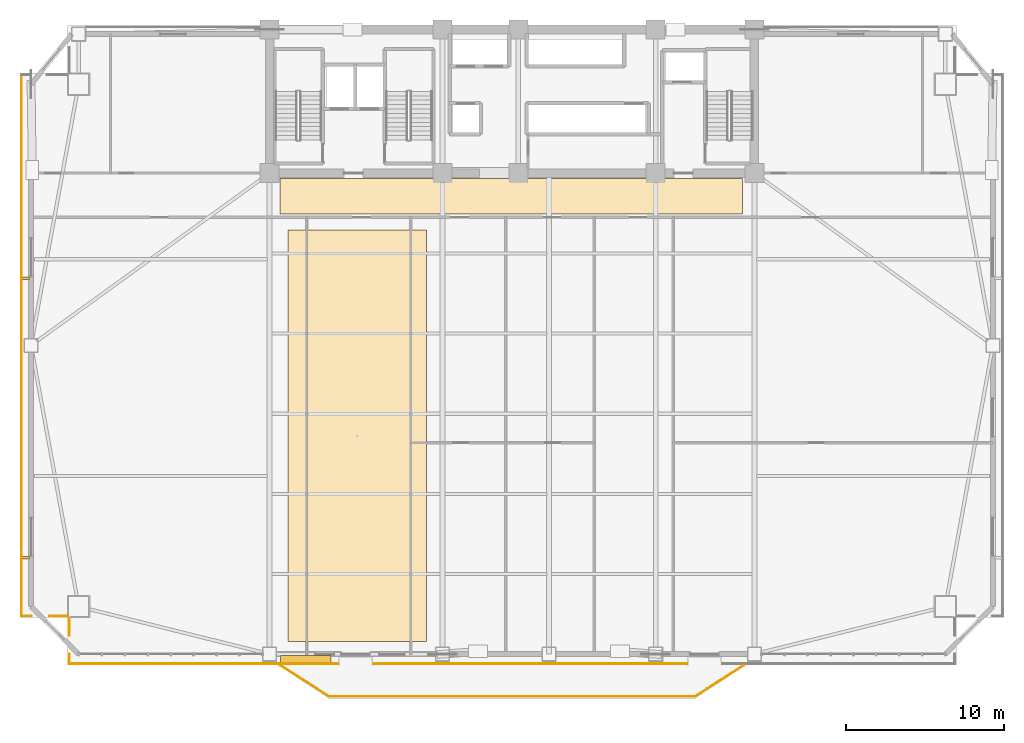
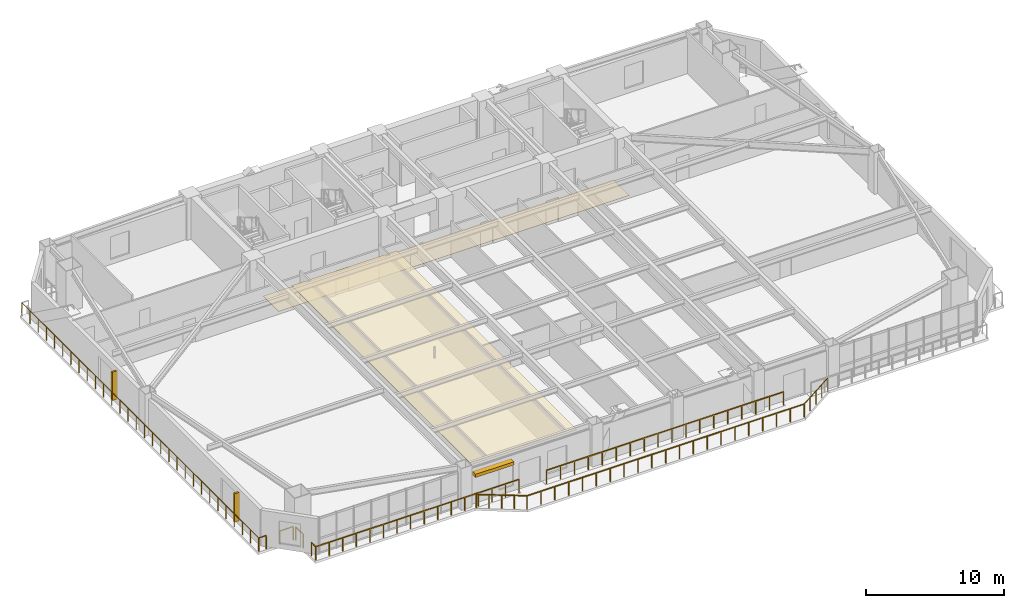
# One storey, part 12 of 15: 10 railings, 3 shading devices, 2 coverings.
"""IFC4 building model written with IfcOpenShell, lengths in metres."""

from ifc_helpers import new_model, si_unit, direction, frame, origin, origin_2d, place, context, subcontext, project, spatial, polyline, rectangle, outline, extrude, source, transform, mapped, material, layer, layer_set, type_object, element, save


model = new_model("IFC4")

# Units and contexts
model_context = context("Model", 3, precision=1e-05, world=origin(), true_north=direction((0.0, 1.0)))
body_context = subcontext(model_context, "Body", "Model", "MODEL_VIEW")
ifc_project = project(units=[si_unit("LENGTHUNIT", "METRE"), si_unit("AREAUNIT", "SQUARE_METRE"), si_unit("VOLUMEUNIT", "CUBIC_METRE"), si_unit("PLANEANGLEUNIT", "RADIAN"), si_unit("MASSUNIT", "GRAM", prefix="KILO")], contexts=[model_context])

# Site, building, storey
site_placement = place(None, origin())
site = spatial("IfcSite", under=ifc_project, at=site_placement, CompositionType="ELEMENT")
building_placement = place(site_placement, origin())
building = spatial("IfcBuilding", under=site, at=building_placement, Name="Giltprow Tower", CompositionType="ELEMENT")
storey_placement = place(building_placement, frame((0.0, 0.0, 111.39990234375)))
storey = spatial("IfcBuildingStorey", under=building, at=storey_placement, Name="L27", CompositionType="ELEMENT", Elevation=111.39990234375)

# Coverings
ifc_material_1 = material(Name="Acoustic mineral fibre", Category="gypsum")
ifc_layer_1 = layer(ifc_material_1, 0.030029296875, Name="Acoustic mineral fibre")
ifc_layer_set_1 = layer_set([ifc_layer_1], Name="Acoustic mineral fibre")
covering_type_1 = type_object("IfcCoveringType", Name="COV-CLG-ACOUSTIC", PredefinedType="CEILING", material=ifc_layer_set_1)
covering_1_placement = place(storey_placement, frame((0.0, 0.0, 2.72021484375)))
element("IfcCovering", 1, at=covering_1_placement, inside=storey, type_object=covering_type_1, Name="L27 Office Acoustic Ceiling", PredefinedType="CEILING", context=body_context, shape_type="SweptSolid", body=[
    extrude(outline(polyline([(21.0, 7.7900390625), (29.800048828125, 7.7900390625), (29.800048828125, 33.85009765625), (21.0, 33.85009765625), (21.0, 7.7900390625)])), origin(), (0.0, 0.0, 1.0), 0.02978515625),
])
ifc_material_2 = material(Name="Honed granite", Category="masonry")
ifc_layer_2 = layer(ifc_material_2, 0.030029296875, Name="Honed granite")
ifc_layer_set_2 = layer_set([ifc_layer_2], Name="Honed granite")
covering_type_2 = type_object("IfcCoveringType", Name="COV-FLR-STONE", PredefinedType="FLOORING", material=ifc_layer_set_2)
covering_2_placement = place(storey_placement, origin())
element("IfcCovering", 2, at=covering_2_placement, inside=storey, type_object=covering_type_2, Name="L27 Office Corridor Stone Flooring", PredefinedType="FLOORING", context=body_context, shape_type="SweptSolid", body=[
    extrude(outline(polyline([(20.5, 34.85009765625), (49.800048828125, 34.85009765625), (49.800048828125, 37.10009765625), (20.5, 37.10009765625), (20.5, 34.85009765625)])), origin(), (0.0, 0.0, 1.0), 0.030029296875),
])

# Railings
ifc_material_3 = material(Name="Anodized bronze", Category="metal")
railing_type = type_object("IfcRailingType", Name="RAIL-BALC-GUARD-1200", PredefinedType="BALUSTRADE", material=ifc_material_3)
railing_1_placement = place(storey_placement, frame((20.52001953125, 6.2900390625, 0.0)))
element("IfcRailing", 3, at=railing_1_placement, inside=storey, type_object=railing_type, Name="L27 Waterfront Balcony Balustrade Seg 1", PredefinedType="BALUSTRADE", context=body_context, shape_type="SweptSolid", body=[
    extrude(rectangle(XDim=0.048095703125, YDim=0.048095703125, at=origin_2d()), frame((0.0, 0.0, 1.17578125), z_axis=(0.84277487735, -0.538266203757, 0.0), x_axis=(0.538266203757, 0.84277487735, 0.0)), (0.0, 0.0, 1.0), 3.678466796875),
    extrude(rectangle(XDim=0.0419921875, YDim=0.0419921875, at=origin_2d()), origin(), (0.0, 0.0, 1.0), 1.15185546875),
    extrude(rectangle(XDim=0.0419921875, YDim=0.0419921875, at=origin_2d()), frame((0.77490234375, -0.4951171875, 0.0)), (0.0, 0.0, 1.0), 1.15185546875),
    extrude(rectangle(XDim=0.0419921875, YDim=0.0419921875, at=origin_2d()), frame((1.550048828125, -0.989990234375, 0.0)), (0.0, 0.0, 1.0), 1.15185546875),
    extrude(rectangle(XDim=0.0419921875, YDim=0.0419921875, at=origin_2d()), frame((2.3251953125, -1.48486328125, 0.0)), (0.0, 0.0, 1.0), 1.15185546875),
    extrude(rectangle(XDim=0.0419921875, YDim=0.0419921875, at=origin_2d()), frame((3.10009765625, -1.97998046875, 0.0)), (0.0, 0.0, 1.0), 1.15185546875),
])
railing_2_placement = place(storey_placement, frame((23.6201171875, 4.31005859375, 0.0)))
element("IfcRailing", 4, at=railing_2_placement, inside=storey, type_object=railing_type, Name="L27 Waterfront Balcony Balustrade Seg 2", PredefinedType="BALUSTRADE", context=body_context, shape_type="SweptSolid", body=[
    extrude(rectangle(XDim=0.048095703125, YDim=0.048095703125, at=origin_2d()), frame((0.0, 0.0, 1.17578125), z_axis=(1.0, 0.0, 0.0), x_axis=(0.0, 1.0, 0.0)), (0.0, 0.0, 1.0), 23.159912109375),
    extrude(rectangle(XDim=0.0419921875, YDim=0.0419921875, at=origin_2d()), origin(), (0.0, 0.0, 1.0), 1.15185546875),
    extrude(rectangle(XDim=0.0419921875, YDim=0.0419921875, at=origin_2d()), frame((1.157958984375, 0.0, 0.0)), (0.0, 0.0, 1.0), 1.15185546875),
    extrude(rectangle(XDim=0.0419921875, YDim=0.0419921875, at=origin_2d()), frame((2.31591796875, 0.0, 0.0)), (0.0, 0.0, 1.0), 1.15185546875),
    extrude(rectangle(XDim=0.0419921875, YDim=0.0419921875, at=origin_2d()), frame((3.473876953125, 0.0, 0.0)), (0.0, 0.0, 1.0), 1.15185546875),
    extrude(rectangle(XDim=0.0419921875, YDim=0.0419921875, at=origin_2d()), frame((4.632080078125, 0.0, 0.0)), (0.0, 0.0, 1.0), 1.15185546875),
    extrude(rectangle(XDim=0.0419921875, YDim=0.0419921875, at=origin_2d()), frame((5.7900390625, 0.0, 0.0)), (0.0, 0.0, 1.0), 1.15185546875),
    extrude(rectangle(XDim=0.0419921875, YDim=0.0419921875, at=origin_2d()), frame((6.947998046875, 0.0, 0.0)), (0.0, 0.0, 1.0), 1.15185546875),
    extrude(rectangle(XDim=0.0419921875, YDim=0.0419921875, at=origin_2d()), frame((8.10595703125, 0.0, 0.0)), (0.0, 0.0, 1.0), 1.15185546875),
    extrude(rectangle(XDim=0.0419921875, YDim=0.0419921875, at=origin_2d()), frame((9.263916015625, 0.0, 0.0)), (0.0, 0.0, 1.0), 1.15185546875),
    extrude(rectangle(XDim=0.0419921875, YDim=0.0419921875, at=origin_2d()), frame((10.421875, 0.0, 0.0)), (0.0, 0.0, 1.0), 1.15185546875),
    extrude(rectangle(XDim=0.0419921875, YDim=0.0419921875, at=origin_2d()), frame((11.580078125, 0.0, 0.0)), (0.0, 0.0, 1.0), 1.15185546875),
    extrude(rectangle(XDim=0.0419921875, YDim=0.0419921875, at=origin_2d()), frame((12.738037109375, 0.0, 0.0)), (0.0, 0.0, 1.0), 1.15185546875),
    extrude(rectangle(XDim=0.0419921875, YDim=0.0419921875, at=origin_2d()), frame((13.89599609375, 0.0, 0.0)), (0.0, 0.0, 1.0), 1.15185546875),
    extrude(rectangle(XDim=0.0419921875, YDim=0.0419921875, at=origin_2d()), frame((15.053955078125, 0.0, 0.0)), (0.0, 0.0, 1.0), 1.15185546875),
    extrude(rectangle(XDim=0.0419921875, YDim=0.0419921875, at=origin_2d()), frame((16.2119140625, 0.0, 0.0)), (0.0, 0.0, 1.0), 1.15185546875),
    extrude(rectangle(XDim=0.0419921875, YDim=0.0419921875, at=origin_2d()), frame((17.369873046875, 0.0, 0.0)), (0.0, 0.0, 1.0), 1.15185546875),
    extrude(rectangle(XDim=0.0419921875, YDim=0.0419921875, at=origin_2d()), frame((18.52783203125, 0.0, 0.0)), (0.0, 0.0, 1.0), 1.15185546875),
    extrude(rectangle(XDim=0.0419921875, YDim=0.0419921875, at=origin_2d()), frame((19.68603515625, 0.0, 0.0)), (0.0, 0.0, 1.0), 1.15185546875),
    extrude(rectangle(XDim=0.0419921875, YDim=0.0419921875, at=origin_2d()), frame((20.843994140625, 0.0, 0.0)), (0.0, 0.0, 1.0), 1.15185546875),
    extrude(rectangle(XDim=0.0419921875, YDim=0.0419921875, at=origin_2d()), frame((22.001953125, 0.0, 0.0)), (0.0, 0.0, 1.0), 1.15185546875),
    extrude(rectangle(XDim=0.0419921875, YDim=0.0419921875, at=origin_2d()), frame((23.159912109375, 0.0, 0.0)), (0.0, 0.0, 1.0), 1.15185546875),
])
railing_3_placement = place(storey_placement, frame((46.780029296875, 4.31005859375, 0.0)))
element("IfcRailing", 5, at=railing_3_placement, inside=storey, type_object=railing_type, Name="L27 Waterfront Balcony Balustrade Seg 3", PredefinedType="BALUSTRADE", context=body_context, shape_type="SweptSolid", body=[
    extrude(rectangle(XDim=0.048095703125, YDim=0.048095703125, at=origin_2d()), frame((0.0, 0.0, 1.17578125), z_axis=(0.842755646126, 0.538296313309, 0.0), x_axis=(-0.538296313309, 0.842755646126, 0.0)), (0.0, 0.0, 1.0), 3.67822265625),
    extrude(rectangle(XDim=0.0419921875, YDim=0.0419921875, at=origin_2d()), origin(), (0.0, 0.0, 1.0), 1.15185546875),
    extrude(rectangle(XDim=0.0419921875, YDim=0.0419921875, at=origin_2d()), frame((0.77490234375, 0.4951171875, 0.0)), (0.0, 0.0, 1.0), 1.15185546875),
    extrude(rectangle(XDim=0.0419921875, YDim=0.0419921875, at=origin_2d()), frame((1.5498046875, 0.989990234375, 0.0)), (0.0, 0.0, 1.0), 1.15185546875),
    extrude(rectangle(XDim=0.0419921875, YDim=0.0419921875, at=origin_2d()), frame((2.324951171875, 1.48486328125, 0.0)), (0.0, 0.0, 1.0), 1.15185546875),
    extrude(rectangle(XDim=0.0419921875, YDim=0.0419921875, at=origin_2d()), frame((3.099853515625, 1.97998046875, 0.0)), (0.0, 0.0, 1.0), 1.15185546875),
])
railing_4_placement = place(storey_placement, frame((7.160888671875, 6.389892578125, 0.0)))
element("IfcRailing", 6, at=railing_4_placement, inside=storey, type_object=railing_type, Name="L27 Corner Apron Edge Balustrade 1", PredefinedType="BALUSTRADE", context=body_context, shape_type="SweptSolid", body=[
    extrude(rectangle(XDim=0.048095703125, YDim=0.048095703125, at=origin_2d()), frame((0.0, 0.0, 1.17578125), z_axis=(0.0, 1.0, 0.0), x_axis=(-1.0, 0.0, 0.0)), (0.0, 0.0, 1.0), 0.6201171875),
    extrude(rectangle(XDim=0.0419921875, YDim=0.0419921875, at=origin_2d()), origin(), (0.0, 0.0, 1.0), 1.15185546875),
    extrude(rectangle(XDim=0.0419921875, YDim=0.0419921875, at=origin_2d()), frame((0.0, 0.6201171875, 0.0)), (0.0, 0.0, 1.0), 1.15185546875),
])
railing_5_placement = place(storey_placement, frame((7.160888671875, 8.169921875, 0.0)))
element("IfcRailing", 7, at=railing_5_placement, inside=storey, type_object=railing_type, Name="L27 Corner Apron Edge Balustrade 2", PredefinedType="BALUSTRADE", context=body_context, shape_type="SweptSolid", body=[
    extrude(rectangle(XDim=0.048095703125, YDim=0.048095703125, at=origin_2d()), frame((0.0, 0.0, 1.17578125), z_axis=(0.0, 1.0, 0.0), x_axis=(-1.0, 0.0, 0.0)), (0.0, 0.0, 1.0), 1.10205078125),
    extrude(rectangle(XDim=0.0419921875, YDim=0.0419921875, at=origin_2d()), origin(), (0.0, 0.0, 1.0), 1.15185546875),
    extrude(rectangle(XDim=0.0419921875, YDim=0.0419921875, at=origin_2d()), frame((0.0, 1.10205078125, 0.0)), (0.0, 0.0, 1.0), 1.15185546875),
])
railing_6_placement = place(storey_placement, frame((7.02587890625, 9.406982421875, 0.0)))
element("IfcRailing", 8, at=railing_6_placement, inside=storey, type_object=railing_type, Name="L27 Corner Apron Edge Balustrade 3", PredefinedType="BALUSTRADE", context=body_context, shape_type="SweptSolid", body=[
    extrude(rectangle(XDim=0.048095703125, YDim=0.048095703125, at=origin_2d()), frame((0.0, 0.0, 1.17578125), z_axis=(-1.0, 0.0, 0.0), x_axis=(0.0, -1.0, 0.0)), (0.0, 0.0, 1.0), 1.101806640625),
    extrude(rectangle(XDim=0.0419921875, YDim=0.0419921875, at=origin_2d()), origin(), (0.0, 0.0, 1.0), 1.15185546875),
    extrude(rectangle(XDim=0.0419921875, YDim=0.0419921875, at=origin_2d()), frame((-1.101806640625, 0.0, 0.0)), (0.0, 0.0, 1.0), 1.15185546875),
])
railing_7_placement = place(storey_placement, frame((4.763916015625, 9.406982421875, 0.0)))
element("IfcRailing", 9, at=railing_7_placement, inside=storey, type_object=railing_type, Name="L27 Corner Apron Edge Balustrade 4", PredefinedType="BALUSTRADE", context=body_context, shape_type="SweptSolid", body=[
    extrude(rectangle(XDim=0.048095703125, YDim=0.048095703125, at=origin_2d()), frame((0.0, 0.0, 1.17578125), z_axis=(-1.0, 0.0, 0.0), x_axis=(0.0, -1.0, 0.0)), (0.0, 0.0, 1.0), 0.619873046875),
    extrude(rectangle(XDim=0.0419921875, YDim=0.0419921875, at=origin_2d()), origin(), (0.0, 0.0, 1.0), 1.15185546875),
    extrude(rectangle(XDim=0.0419921875, YDim=0.0419921875, at=origin_2d()), frame((-0.619873046875, 0.0, 0.0)), (0.0, 0.0, 1.0), 1.15185546875),
])
railing_8_placement = place(storey_placement, frame((4.14404296875, 9.406982421875, 0.0)))
element("IfcRailing", 10, at=railing_8_placement, inside=storey, type_object=railing_type, Name="L27 Corner Apron Edge Balustrade 5", PredefinedType="BALUSTRADE", context=body_context, shape_type="SweptSolid", body=[
    extrude(rectangle(XDim=0.048095703125, YDim=0.048095703125, at=origin_2d()), frame((0.0, 0.0, 1.17578125), z_axis=(0.0, 1.0, 0.0), x_axis=(-1.0, 0.0, 0.0)), (0.0, 0.0, 1.0), 34.276123046875),
    extrude(rectangle(XDim=0.0419921875, YDim=0.0419921875, at=origin_2d()), origin(), (0.0, 0.0, 1.0), 1.15185546875),
    extrude(rectangle(XDim=0.0419921875, YDim=0.0419921875, at=origin_2d()), frame((0.0, 1.181884765625, 0.0)), (0.0, 0.0, 1.0), 1.15185546875),
    extrude(rectangle(XDim=0.0419921875, YDim=0.0419921875, at=origin_2d()), frame((0.0, 2.36376953125, 0.0)), (0.0, 0.0, 1.0), 1.15185546875),
    extrude(rectangle(XDim=0.0419921875, YDim=0.0419921875, at=origin_2d()), frame((0.0, 3.5458984375, 0.0)), (0.0, 0.0, 1.0), 1.15185546875),
    extrude(rectangle(XDim=0.0419921875, YDim=0.0419921875, at=origin_2d()), frame((0.0, 4.727783203125, 0.0)), (0.0, 0.0, 1.0), 1.15185546875),
    extrude(rectangle(XDim=0.0419921875, YDim=0.0419921875, at=origin_2d()), frame((0.0, 5.90966796875, 0.0)), (0.0, 0.0, 1.0), 1.15185546875),
    extrude(rectangle(XDim=0.0419921875, YDim=0.0419921875, at=origin_2d()), frame((0.0, 7.091552734375, 0.0)), (0.0, 0.0, 1.0), 1.15185546875),
    extrude(rectangle(XDim=0.0419921875, YDim=0.0419921875, at=origin_2d()), frame((0.0, 8.2734375, 0.0)), (0.0, 0.0, 1.0), 1.15185546875),
    extrude(rectangle(XDim=0.0419921875, YDim=0.0419921875, at=origin_2d()), frame((0.0, 9.45556640625, 0.0)), (0.0, 0.0, 1.0), 1.15185546875),
    extrude(rectangle(XDim=0.0419921875, YDim=0.0419921875, at=origin_2d()), frame((0.0, 10.637451171875, 0.0)), (0.0, 0.0, 1.0), 1.15185546875),
    extrude(rectangle(XDim=0.0419921875, YDim=0.0419921875, at=origin_2d()), frame((0.0, 11.8193359375, 0.0)), (0.0, 0.0, 1.0), 1.15185546875),
    extrude(rectangle(XDim=0.0419921875, YDim=0.0419921875, at=origin_2d()), frame((0.0, 13.001220703125, 0.0)), (0.0, 0.0, 1.0), 1.15185546875),
    extrude(rectangle(XDim=0.0419921875, YDim=0.0419921875, at=origin_2d()), frame((0.0, 14.18310546875, 0.0)), (0.0, 0.0, 1.0), 1.15185546875),
    extrude(rectangle(XDim=0.0419921875, YDim=0.0419921875, at=origin_2d()), frame((0.0, 15.365234375, 0.0)), (0.0, 0.0, 1.0), 1.15185546875),
    extrude(rectangle(XDim=0.0419921875, YDim=0.0419921875, at=origin_2d()), frame((0.0, 16.547119140625, 0.0)), (0.0, 0.0, 1.0), 1.15185546875),
    extrude(rectangle(XDim=0.0419921875, YDim=0.0419921875, at=origin_2d()), frame((0.0, 17.72900390625, 0.0)), (0.0, 0.0, 1.0), 1.15185546875),
    extrude(rectangle(XDim=0.0419921875, YDim=0.0419921875, at=origin_2d()), frame((0.0, 18.910888671875, 0.0)), (0.0, 0.0, 1.0), 1.15185546875),
    extrude(rectangle(XDim=0.0419921875, YDim=0.0419921875, at=origin_2d()), frame((0.0, 20.093017578125, 0.0)), (0.0, 0.0, 1.0), 1.15185546875),
    extrude(rectangle(XDim=0.0419921875, YDim=0.0419921875, at=origin_2d()), frame((0.0, 21.27490234375, 0.0)), (0.0, 0.0, 1.0), 1.15185546875),
    extrude(rectangle(XDim=0.0419921875, YDim=0.0419921875, at=origin_2d()), frame((0.0, 22.456787109375, 0.0)), (0.0, 0.0, 1.0), 1.15185546875),
    extrude(rectangle(XDim=0.0419921875, YDim=0.0419921875, at=origin_2d()), frame((0.0, 23.638671875, 0.0)), (0.0, 0.0, 1.0), 1.15185546875),
    extrude(rectangle(XDim=0.0419921875, YDim=0.0419921875, at=origin_2d()), frame((0.0, 24.820556640625, 0.0)), (0.0, 0.0, 1.0), 1.15185546875),
    extrude(rectangle(XDim=0.0419921875, YDim=0.0419921875, at=origin_2d()), frame((0.0, 26.002685546875, 0.0)), (0.0, 0.0, 1.0), 1.15185546875),
    extrude(rectangle(XDim=0.0419921875, YDim=0.0419921875, at=origin_2d()), frame((0.0, 27.1845703125, 0.0)), (0.0, 0.0, 1.0), 1.15185546875),
    extrude(rectangle(XDim=0.0419921875, YDim=0.0419921875, at=origin_2d()), frame((0.0, 28.366455078125, 0.0)), (0.0, 0.0, 1.0), 1.15185546875),
    extrude(rectangle(XDim=0.0419921875, YDim=0.0419921875, at=origin_2d()), frame((0.0, 29.54833984375, 0.0)), (0.0, 0.0, 1.0), 1.15185546875),
    extrude(rectangle(XDim=0.0419921875, YDim=0.0419921875, at=origin_2d()), frame((0.0, 30.730224609375, 0.0)), (0.0, 0.0, 1.0), 1.15185546875),
    extrude(rectangle(XDim=0.0419921875, YDim=0.0419921875, at=origin_2d()), frame((0.0, 31.912353515625, 0.0)), (0.0, 0.0, 1.0), 1.15185546875),
    extrude(rectangle(XDim=0.0419921875, YDim=0.0419921875, at=origin_2d()), frame((0.0, 33.09423828125, 0.0)), (0.0, 0.0, 1.0), 1.15185546875),
    extrude(rectangle(XDim=0.0419921875, YDim=0.0419921875, at=origin_2d()), frame((0.0, 34.276123046875, 0.0)), (0.0, 0.0, 1.0), 1.15185546875),
])
railing_9_placement = place(storey_placement, frame((46.25, 6.389892578125, 0.0)))
element("IfcRailing", 11, at=railing_9_placement, inside=storey, type_object=railing_type, Name="L27 Corner Apron Edge Balustrade 20", PredefinedType="BALUSTRADE", context=body_context, shape_type="SweptSolid", body=[
    extrude(rectangle(XDim=0.048095703125, YDim=0.048095703125, at=origin_2d()), frame((0.0, 0.0, 1.17578125), z_axis=(-1.0, 0.0, 0.0), x_axis=(0.0, -1.0, 0.0)), (0.0, 0.0, 1.0), 19.800048828125),
    extrude(rectangle(XDim=0.0419921875, YDim=0.0419921875, at=origin_2d()), origin(), (0.0, 0.0, 1.0), 1.15185546875),
    extrude(rectangle(XDim=0.0419921875, YDim=0.0419921875, at=origin_2d()), frame((-1.164794921875, 0.0, 0.0)), (0.0, 0.0, 1.0), 1.15185546875),
    extrude(rectangle(XDim=0.0419921875, YDim=0.0419921875, at=origin_2d()), frame((-2.329345703125, 0.0, 0.0)), (0.0, 0.0, 1.0), 1.15185546875),
    extrude(rectangle(XDim=0.0419921875, YDim=0.0419921875, at=origin_2d()), frame((-3.494140625, 0.0, 0.0)), (0.0, 0.0, 1.0), 1.15185546875),
    extrude(rectangle(XDim=0.0419921875, YDim=0.0419921875, at=origin_2d()), frame((-4.658935546875, 0.0, 0.0)), (0.0, 0.0, 1.0), 1.15185546875),
    extrude(rectangle(XDim=0.0419921875, YDim=0.0419921875, at=origin_2d()), frame((-5.823486328125, 0.0, 0.0)), (0.0, 0.0, 1.0), 1.15185546875),
    extrude(rectangle(XDim=0.0419921875, YDim=0.0419921875, at=origin_2d()), frame((-6.98828125, 0.0, 0.0)), (0.0, 0.0, 1.0), 1.15185546875),
    extrude(rectangle(XDim=0.0419921875, YDim=0.0419921875, at=origin_2d()), frame((-8.153076171875, 0.0, 0.0)), (0.0, 0.0, 1.0), 1.15185546875),
    extrude(rectangle(XDim=0.0419921875, YDim=0.0419921875, at=origin_2d()), frame((-9.317626953125, 0.0, 0.0)), (0.0, 0.0, 1.0), 1.15185546875),
    extrude(rectangle(XDim=0.0419921875, YDim=0.0419921875, at=origin_2d()), frame((-10.482421875, 0.0, 0.0)), (0.0, 0.0, 1.0), 1.15185546875),
    extrude(rectangle(XDim=0.0419921875, YDim=0.0419921875, at=origin_2d()), frame((-11.64697265625, 0.0, 0.0)), (0.0, 0.0, 1.0), 1.15185546875),
    extrude(rectangle(XDim=0.0419921875, YDim=0.0419921875, at=origin_2d()), frame((-12.811767578125, 0.0, 0.0)), (0.0, 0.0, 1.0), 1.15185546875),
    extrude(rectangle(XDim=0.0419921875, YDim=0.0419921875, at=origin_2d()), frame((-13.9765625, 0.0, 0.0)), (0.0, 0.0, 1.0), 1.15185546875),
    extrude(rectangle(XDim=0.0419921875, YDim=0.0419921875, at=origin_2d()), frame((-15.14111328125, 0.0, 0.0)), (0.0, 0.0, 1.0), 1.15185546875),
    extrude(rectangle(XDim=0.0419921875, YDim=0.0419921875, at=origin_2d()), frame((-16.305908203125, 0.0, 0.0)), (0.0, 0.0, 1.0), 1.15185546875),
    extrude(rectangle(XDim=0.0419921875, YDim=0.0419921875, at=origin_2d()), frame((-17.470703125, 0.0, 0.0)), (0.0, 0.0, 1.0), 1.15185546875),
    extrude(rectangle(XDim=0.0419921875, YDim=0.0419921875, at=origin_2d()), frame((-18.63525390625, 0.0, 0.0)), (0.0, 0.0, 1.0), 1.15185546875),
    extrude(rectangle(XDim=0.0419921875, YDim=0.0419921875, at=origin_2d()), frame((-19.800048828125, 0.0, 0.0)), (0.0, 0.0, 1.0), 1.15185546875),
])
railing_10_placement = place(storey_placement, frame((24.14990234375, 6.389892578125, 0.0)))
element("IfcRailing", 12, at=railing_10_placement, inside=storey, type_object=railing_type, Name="L27 Corner Apron Edge Balustrade 21", PredefinedType="BALUSTRADE", context=body_context, shape_type="SweptSolid", body=[
    extrude(rectangle(XDim=0.048095703125, YDim=0.048095703125, at=origin_2d()), frame((0.0, 0.0, 1.17578125), z_axis=(-1.0, 0.0, 0.0), x_axis=(0.0, -1.0, 0.0)), (0.0, 0.0, 1.0), 16.989013671875),
    extrude(rectangle(XDim=0.0419921875, YDim=0.0419921875, at=origin_2d()), origin(), (0.0, 0.0, 1.0), 1.15185546875),
    extrude(rectangle(XDim=0.0419921875, YDim=0.0419921875, at=origin_2d()), frame((-1.132568359375, 0.0, 0.0)), (0.0, 0.0, 1.0), 1.15185546875),
    extrude(rectangle(XDim=0.0419921875, YDim=0.0419921875, at=origin_2d()), frame((-2.26513671875, 0.0, 0.0)), (0.0, 0.0, 1.0), 1.15185546875),
    extrude(rectangle(XDim=0.0419921875, YDim=0.0419921875, at=origin_2d()), frame((-3.397705078125, 0.0, 0.0)), (0.0, 0.0, 1.0), 1.15185546875),
    extrude(rectangle(XDim=0.0419921875, YDim=0.0419921875, at=origin_2d()), frame((-4.530517578125, 0.0, 0.0)), (0.0, 0.0, 1.0), 1.15185546875),
    extrude(rectangle(XDim=0.0419921875, YDim=0.0419921875, at=origin_2d()), frame((-5.6630859375, 0.0, 0.0)), (0.0, 0.0, 1.0), 1.15185546875),
    extrude(rectangle(XDim=0.0419921875, YDim=0.0419921875, at=origin_2d()), frame((-6.795654296875, 0.0, 0.0)), (0.0, 0.0, 1.0), 1.15185546875),
    extrude(rectangle(XDim=0.0419921875, YDim=0.0419921875, at=origin_2d()), frame((-7.92822265625, 0.0, 0.0)), (0.0, 0.0, 1.0), 1.15185546875),
    extrude(rectangle(XDim=0.0419921875, YDim=0.0419921875, at=origin_2d()), frame((-9.060791015625, 0.0, 0.0)), (0.0, 0.0, 1.0), 1.15185546875),
    extrude(rectangle(XDim=0.0419921875, YDim=0.0419921875, at=origin_2d()), frame((-10.193359375, 0.0, 0.0)), (0.0, 0.0, 1.0), 1.15185546875),
    extrude(rectangle(XDim=0.0419921875, YDim=0.0419921875, at=origin_2d()), frame((-11.325927734375, 0.0, 0.0)), (0.0, 0.0, 1.0), 1.15185546875),
    extrude(rectangle(XDim=0.0419921875, YDim=0.0419921875, at=origin_2d()), frame((-12.45849609375, 0.0, 0.0)), (0.0, 0.0, 1.0), 1.15185546875),
    extrude(rectangle(XDim=0.0419921875, YDim=0.0419921875, at=origin_2d()), frame((-13.59130859375, 0.0, 0.0)), (0.0, 0.0, 1.0), 1.15185546875),
    extrude(rectangle(XDim=0.0419921875, YDim=0.0419921875, at=origin_2d()), frame((-14.723876953125, 0.0, 0.0)), (0.0, 0.0, 1.0), 1.15185546875),
    extrude(rectangle(XDim=0.0419921875, YDim=0.0419921875, at=origin_2d()), frame((-15.8564453125, 0.0, 0.0)), (0.0, 0.0, 1.0), 1.15185546875),
    extrude(rectangle(XDim=0.0419921875, YDim=0.0419921875, at=origin_2d()), frame((-16.989013671875, 0.0, 0.0)), (0.0, 0.0, 1.0), 1.15185546875),
])

# Shading devices
shading_device_type_1 = type_object("IfcShadingDeviceType", Name="SHD-FIN-420", PredefinedType="USERDEFINED", material=ifc_material_3)
shared_shape_1 = source(origin(), body_context, "Body", "SweptSolid", [
    extrude(rectangle(XDim=0.419921875, YDim=0.159912109375, at=origin_2d()), origin(), (0.0, 0.0, 1.0), 2.5),
])
for number, where, z_axis, x_axis, name in (
    (13, (4.424072265625, 13.110107421875, 0.35009765625), (0.0, 0.0, 1.0), (1.0, 0.0, 0.0), "L27 W Bronze Vertical Fin 1-1"),
    (14, (4.424072265625, 30.805908203125, 0.35009765625), (0.0, 0.0, 1.0), (1.0, 0.0, 0.0), "L27 W Bronze Vertical Fin 2-1"),
):
    element("IfcShadingDevice", number, at=place(storey_placement, frame(where, z_axis=z_axis, x_axis=x_axis)), inside=storey, type_object=shading_device_type_1, Name=name, ObjectType="FIN", PredefinedType="USERDEFINED", context=body_context, shape_type="MappedRepresentation", body=[
        mapped(shared_shape_1, transform((0.0, 0.0, 0.0), x_axis=(1.0, 0.0, 0.0), y_axis=(0.0, 1.0, 0.0), z_axis=(0.0, 0.0, 1.0), scale=1.0)),
    ])
shading_device_type_2 = type_object("IfcShadingDeviceType", Name="SHD-LOUVRE-320", PredefinedType="JALOUSIE", material=ifc_material_3)
shared_shape_2 = source(origin(), body_context, "Body", "SweptSolid", [
    extrude(rectangle(XDim=3.199951171875, YDim=0.449951171875, at=origin_2d()), origin(), (0.0, 0.0, 1.0), 0.280029296875),
])
shading_device_placement = place(storey_placement, frame((22.14990234375, 6.669921875, 2.56005859375), z_axis=(0.0, 0.0, 1.0), x_axis=(1.0, 0.0, 0.0)))
element("IfcShadingDevice", 15, at=shading_device_placement, inside=storey, type_object=shading_device_type_2, Name="L27 Bronze Sunshade Louvre S-2", PredefinedType="JALOUSIE", context=body_context, shape_type="MappedRepresentation", body=[
    mapped(shared_shape_2, transform((0.0, 0.0, 0.0), x_axis=(1.0, 0.0, 0.0), y_axis=(0.0, 1.0, 0.0), z_axis=(0.0, 0.0, 1.0), scale=1.0)),
])

save(model, "model.ifc")
